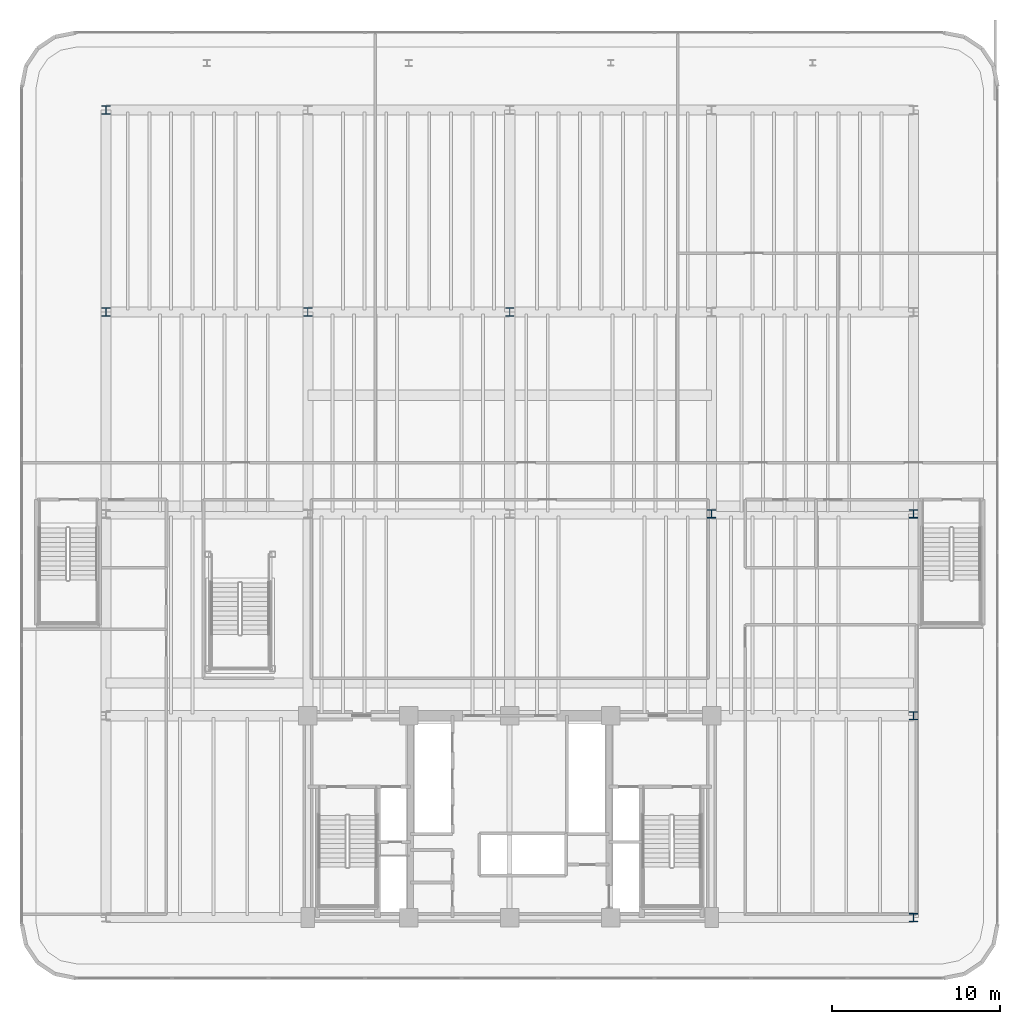
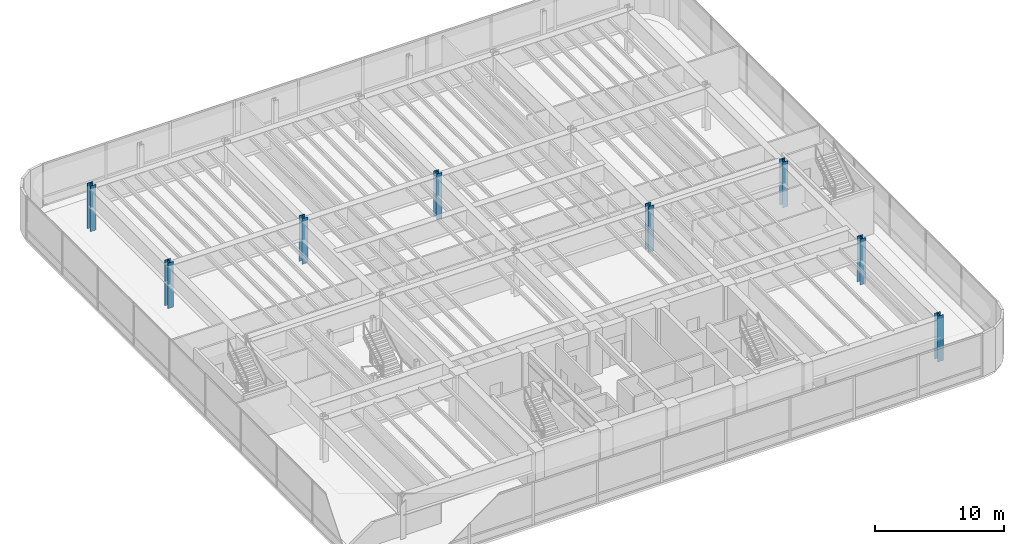
# One storey, part 2 of 19: 8 columns.
"""IFC4 building model written with IfcOpenShell, lengths in metres."""

from ifc_helpers import new_model, si_unit, direction, frame, origin, origin_2d, place, context, subcontext, project, spatial, i_section, extrude, source, transform, mapped, material, material_profile, profile_set, type_object, element, save


model = new_model("IFC4")

# Units and contexts
model_context = context("Model", 3, precision=1e-05, world=origin(), true_north=direction((0.0, 1.0)))
body_context = subcontext(model_context, "Body", "Model", "MODEL_VIEW")
ifc_project = project(units=[si_unit("LENGTHUNIT", "METRE"), si_unit("AREAUNIT", "SQUARE_METRE"), si_unit("VOLUMEUNIT", "CUBIC_METRE"), si_unit("PLANEANGLEUNIT", "RADIAN"), si_unit("MASSUNIT", "GRAM", prefix="KILO")], contexts=[model_context])

# Site, building, storey
site_placement = place(None, origin())
site = spatial("IfcSite", under=ifc_project, at=site_placement, CompositionType="ELEMENT")
building_placement = place(site_placement, origin())
building = spatial("IfcBuilding", under=site, at=building_placement, Name="Brelvock Crest Care Tower", CompositionType="ELEMENT")
storey_placement = place(building_placement, frame((0.0, 0.0, 18.360107421875)))
storey = spatial("IfcBuildingStorey", under=building, at=storey_placement, Name="L04", CompositionType="ELEMENT", Elevation=18.360107421875)

# Columns
ifc_material = material(Name="Steel Grade 350", Category="steel")
ifc_material_profile = material_profile(ifc_material, i_section(OverallWidth=0.5, OverallDepth=0.5, WebThickness=0.02197265625, FlangeThickness=0.034912109375, at=origin_2d()), Name="500WC340")
ifc_profile_set = profile_set([ifc_material_profile], Name="Steel Grade 350")
column_type = type_object("IfcColumnType", Name="COL-PC2", PredefinedType="COLUMN", material=ifc_profile_set)
shared_shape = source(origin(), body_context, "Body", "SweptSolid", [
    extrude(i_section(OverallWidth=0.5, OverallDepth=0.5, WebThickness=0.02197265625, FlangeThickness=0.034912109375, at=origin_2d()), origin(), (0.0, 0.0, 1.0), 4.31982421875),
])
for number, where, z_axis, x_axis, name in (
    (1, (60.0, 6.0, 0.0), (0.0, 0.0, 1.0), (1.0, 0.0, 0.0), "L04 Podium Column PC-02"),
    (2, (60.0, 18.0, 0.0), (0.0, 0.0, 1.0), (1.0, 0.0, 0.0), "L04 Podium Column PC-04"),
    (3, (48.0, 30.0, 0.0), (0.0, 0.0, 1.0), (1.0, 0.0, 0.0), "L04 Podium Column PC-08"),
    (4, (60.0, 30.0, 0.0), (0.0, 0.0, 1.0), (1.0, 0.0, 0.0), "L04 Podium Column PC-09"),
    (5, (12.0, 42.0, 0.0), (0.0, 0.0, 1.0), (1.0, 0.0, 0.0), "L04 Podium Column PC-10"),
    (6, (24.0, 42.0, 0.0), (0.0, 0.0, 1.0), (1.0, 0.0, 0.0), "L04 Podium Column PC-11"),
    (7, (36.0, 42.0, 0.0), (0.0, 0.0, 1.0), (1.0, 0.0, 0.0), "L04 Podium Column PC-12"),
    (8, (12.0, 54.0, 0.0), (0.0, 0.0, 1.0), (1.0, 0.0, 0.0), "L04 Podium Column PC-15"),
):
    element("IfcColumn", number, at=place(storey_placement, frame(where, z_axis=z_axis, x_axis=x_axis)), inside=storey, type_object=column_type, Name=name, PredefinedType="COLUMN", context=body_context, shape_type="MappedRepresentation", body=[
        mapped(shared_shape, transform((0.0, 0.0, 0.0), x_axis=(1.0, 0.0, 0.0), y_axis=(0.0, 1.0, 0.0), z_axis=(0.0, 0.0, 1.0), scale=1.0)),
    ])

save(model, "model.ifc")
